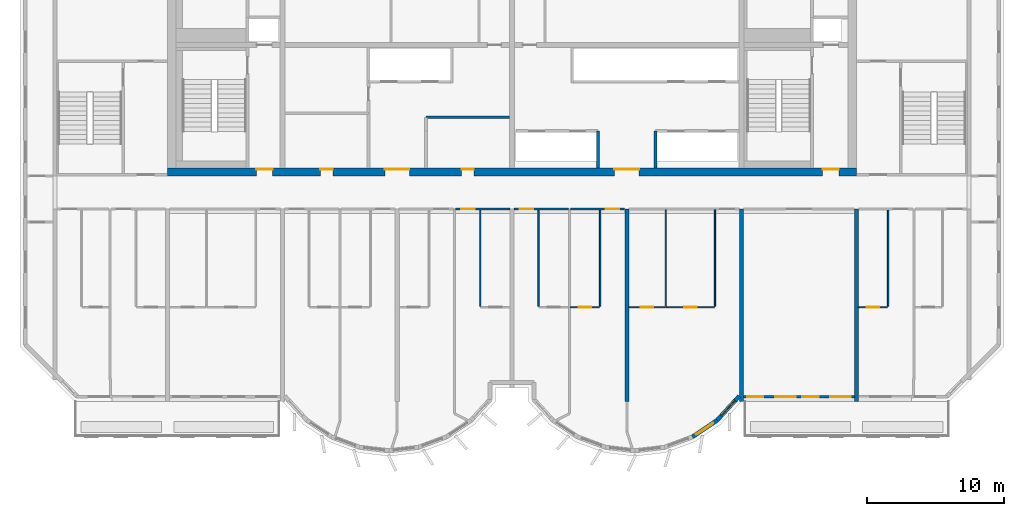
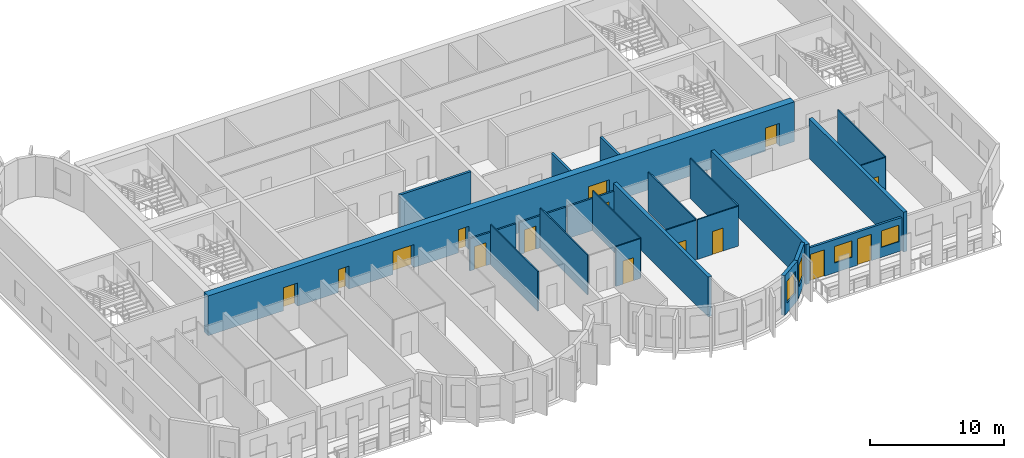
# One storey, part 5 of 11: 23 walls, 15 doors, 4 windows, 19 openings.
"""IFC4 building model written with IfcOpenShell, lengths in metres."""

from ifc_helpers import new_model, si_unit, direction, frame, frame_2d, origin, place, context, subcontext, project, spatial, rectangle, extrude, source, transform, mapped, material, layer, layer_set, type_object, element, fill, save


model = new_model("IFC4")

# Units and contexts
model_context = context("Model", 3, precision=1e-05, world=origin(), true_north=direction((0.0, 1.0)))
body_context = subcontext(model_context, "Body", "Model", "MODEL_VIEW")
ifc_project = project(units=[si_unit("LENGTHUNIT", "METRE"), si_unit("AREAUNIT", "SQUARE_METRE"), si_unit("VOLUMEUNIT", "CUBIC_METRE"), si_unit("PLANEANGLEUNIT", "RADIAN"), si_unit("MASSUNIT", "GRAM", prefix="KILO")], contexts=[model_context])

# Site, building, storey
site_placement = place(None, origin())
site = spatial("IfcSite", under=ifc_project, at=site_placement, CompositionType="ELEMENT")
building_placement = place(site_placement, origin())
building = spatial("IfcBuilding", under=site, at=building_placement, Name="Vanashikhar Sky Hotel", CompositionType="ELEMENT")
storey_placement = place(building_placement, frame((0.0, 0.0, 225.699951171875)))
storey = spatial("IfcBuildingStorey", under=building, at=storey_placement, Name="L54", CompositionType="ELEMENT", Elevation=225.699951171875)

# Wall, openings, doors
ifc_material_1 = material(Name="Concrete M60", Category="concrete")
ifc_layer_1 = layer(ifc_material_1, 0.60009765625)
ifc_layer_set_1 = layer_set([ifc_layer_1], Name="RC core shell wall 600 Concrete M60")
wall_type_1 = type_object("IfcWallType", Name="RC core shell wall 600 Concrete M60", PredefinedType="SHEAR", material=ifc_layer_set_1)
shared_shape_1 = source(origin(), body_context, "Body", "SweptSolid", [
    extrude(rectangle(XDim=50.400146484375, YDim=0.60009765625, at=frame_2d((25.2001953125, 0.0))), origin(), (0.0, 0.0, 1.0), 3.6201171875),
])
wall_1_placement = place(storey_placement, frame((25.199951171875, 22.300048828125, 0.0), z_axis=(0.0, 0.0, 1.0), x_axis=(1.0, 0.0, 0.0)))
wall_1 = element("IfcWall", 1, at=wall_1_placement, inside=storey, type_object=wall_type_1, Name="KW-L54-KS", PredefinedType="SHEAR", context=body_context, shape_type="MappedRepresentation", body=[
    mapped(shared_shape_1, transform((0.0, 0.0, 0.0), scale=1.0)),
])
shared_shape_2 = source(origin(), body_context, "Body", "SweptSolid", [
    extrude(rectangle(XDim=1.800048828125, YDim=2.10009765625, at=frame_2d((0.89990234375, 1.050048828125))), frame((0.0, 0.31005859375, 0.0), z_axis=(0.0, -1.0, 0.0), x_axis=(1.0, 0.0, 0.0)), (0.0, 0.0, 1.0), 0.6201171875),
])
opening_1_placement = place(wall_1_placement, frame((15.89990234375, 0.0, 0.0)))
opening_1 = element("IfcOpeningElement", 2, at=opening_1_placement, cuts=wall_1, Name="Opening DC-3-A", PredefinedType="OPENING", context=body_context, shape_type="MappedRepresentation", body=[
    mapped(shared_shape_2, transform((0.0, 0.0, 0.0), scale=1.0)),
])
shared_shape_3 = source(origin(), body_context, "Body", "SweptSolid", [
    extrude(rectangle(XDim=0.89990234375, YDim=2.10009765625, at=frame_2d((0.449951171875, 1.050048828125))), frame((0.0, 0.31005859375, 0.0), z_axis=(0.0, -1.0, 0.0), x_axis=(1.0, 0.0, 0.0)), (0.0, 0.0, 1.0), 0.6201171875),
])
opening_2_placement = place(wall_1_placement, frame((11.18701171875, 0.0, 0.0)))
opening_2 = element("IfcOpeningElement", 3, at=opening_2_placement, cuts=wall_1, Name="Opening DC-4-A", PredefinedType="OPENING", context=body_context, shape_type="MappedRepresentation", body=[
    mapped(shared_shape_3, transform((0.0, 0.0, 0.0), scale=1.0)),
])
opening_3_placement = place(wall_1_placement, frame((21.512939453125, 0.0, 0.0)))
opening_3 = element("IfcOpeningElement", 4, at=opening_3_placement, cuts=wall_1, Name="Opening DC-4-A", PredefinedType="OPENING", context=body_context, shape_type="MappedRepresentation", body=[
    mapped(shared_shape_3, transform((0.0, 0.0, 0.0), scale=1.0)),
])
opening_4_placement = place(wall_1_placement, frame((32.699951171875, 0.0, 0.0)))
opening_4 = element("IfcOpeningElement", 5, at=opening_4_placement, cuts=wall_1, Name="Opening DC-3-A", PredefinedType="OPENING", context=body_context, shape_type="MappedRepresentation", body=[
    mapped(shared_shape_2, transform((0.0, 0.0, 0.0), scale=1.0)),
])
shared_shape_4 = source(origin(), body_context, "Body", "SweptSolid", [
    extrude(rectangle(XDim=1.199951171875, YDim=2.10009765625, at=frame_2d((0.60009765625, 1.050048828125))), frame((0.0, 0.31005859375, 0.0), z_axis=(0.0, -1.0, 0.0), x_axis=(1.0, 0.0, 0.0)), (0.0, 0.0, 1.0), 0.6201171875),
])
opening_5_placement = place(wall_1_placement, frame((6.488037109375, 0.0, 0.0)))
opening_5 = element("IfcOpeningElement", 6, at=opening_5_placement, cuts=wall_1, Name="Opening DC-2", PredefinedType="OPENING", context=body_context, shape_type="MappedRepresentation", body=[
    mapped(shared_shape_4, transform((0.0, 0.0, 0.0), scale=1.0)),
])
opening_6_placement = place(wall_1_placement, frame((47.925048828125, 0.0, 0.0)))
opening_6 = element("IfcOpeningElement", 7, at=opening_6_placement, cuts=wall_1, Name="Opening DC-2", PredefinedType="OPENING", context=body_context, shape_type="MappedRepresentation", body=[
    mapped(shared_shape_4, transform((0.0, 0.0, 0.0), scale=1.0)),
])
ifc_material_2 = material(Name="Steel", Category="steel")
door_type_1 = type_object("IfcDoorType", Name="Firefighting lobby door 1200 FD120", OperationType="NOTDEFINED", PredefinedType="DOOR", material=ifc_material_2)
shared_shape_5 = source(origin(), body_context, "Body", "SweptSolid", [
    extrude(rectangle(XDim=1.199951171875, YDim=2.10009765625, at=frame_2d((0.60009765625, 1.050048828125))), frame((0.0, 0.22509765625, 0.0), z_axis=(0.0, -1.0, 0.0), x_axis=(1.0, 0.0, 0.0)), (0.0, 0.0, 1.0), 0.050048828125),
])
door_1_placement = place(opening_5_placement, origin())
door_1 = element("IfcDoor", 8, at=door_1_placement, inside=storey, type_object=door_type_1, Name="Firefighting lobby door 1200 FD120", OperationType="SINGLE_SWING_LEFT", OverallHeight=2.10009765625, OverallWidth=1.199951171875, PredefinedType="DOOR", context=body_context, shape_type="MappedRepresentation", body=[
    mapped(shared_shape_5, transform((0.0, 0.0, 0.0), scale=1.0)),
])
fill(opening_5, door_1)
door_2_placement = place(opening_6_placement, origin())
door_2 = element("IfcDoor", 9, at=door_2_placement, inside=storey, type_object=door_type_1, Name="Firefighting lobby door 1200 FD120", OperationType="SINGLE_SWING_LEFT", OverallHeight=2.10009765625, OverallWidth=1.199951171875, PredefinedType="DOOR", context=body_context, shape_type="MappedRepresentation", body=[
    mapped(shared_shape_5, transform((0.0, 0.0, 0.0), scale=1.0)),
])
fill(opening_6, door_2)
door_type_2 = type_object("IfcDoorType", Name="Service door 900 FD60", OperationType="NOTDEFINED", PredefinedType="DOOR", material=ifc_material_2)
shared_shape_6 = source(origin(), body_context, "Body", "SweptSolid", [
    extrude(rectangle(XDim=0.89990234375, YDim=2.10009765625, at=frame_2d((0.449951171875, 1.050048828125))), frame((0.0, 0.22509765625, 0.0), z_axis=(0.0, -1.0, 0.0), x_axis=(1.0, 0.0, 0.0)), (0.0, 0.0, 1.0), 0.050048828125),
])
door_3_placement = place(opening_2_placement, origin())
door_3 = element("IfcDoor", 10, at=door_3_placement, inside=storey, type_object=door_type_2, Name="Service door 900 FD60", OperationType="SINGLE_SWING_LEFT", OverallHeight=2.10009765625, OverallWidth=0.89990234375, PredefinedType="DOOR", context=body_context, shape_type="MappedRepresentation", body=[
    mapped(shared_shape_6, transform((0.0, 0.0, 0.0), scale=1.0)),
])
fill(opening_2, door_3)
door_4_placement = place(opening_3_placement, origin())
door_4 = element("IfcDoor", 11, at=door_4_placement, inside=storey, type_object=door_type_2, Name="Service door 900 FD60", OperationType="SINGLE_SWING_LEFT", OverallHeight=2.10009765625, OverallWidth=0.89990234375, PredefinedType="DOOR", context=body_context, shape_type="MappedRepresentation", body=[
    mapped(shared_shape_6, transform((0.0, 0.0, 0.0), scale=1.0)),
])
fill(opening_3, door_4)
ifc_material_3 = material(Name="Glass", Category="glass")
door_type_3 = type_object("IfcDoorType", Name="Lift lobby entrance door 1800 FD30S", OperationType="NOTDEFINED", PredefinedType="DOOR", material=ifc_material_3)
shared_shape_7 = source(origin(), body_context, "Body", "SweptSolid", [
    extrude(rectangle(XDim=1.800048828125, YDim=2.10009765625, at=frame_2d((0.89990234375, 1.050048828125))), frame((0.0, 0.22509765625, 0.0), z_axis=(0.0, -1.0, 0.0), x_axis=(1.0, 0.0, 0.0)), (0.0, 0.0, 1.0), 0.050048828125),
])
door_5_placement = place(opening_1_placement, origin())
door_5 = element("IfcDoor", 12, at=door_5_placement, inside=storey, type_object=door_type_3, Name="Lift lobby entrance door 1800 FD30S", OperationType="DOUBLE_DOOR_SINGLE_SWING", OverallHeight=2.10009765625, OverallWidth=1.800048828125, PredefinedType="DOOR", context=body_context, shape_type="MappedRepresentation", body=[
    mapped(shared_shape_7, transform((0.0, 0.0, 0.0), scale=1.0)),
])
fill(opening_1, door_5)
door_6_placement = place(opening_4_placement, origin())
door_6 = element("IfcDoor", 13, at=door_6_placement, inside=storey, type_object=door_type_3, Name="Lift lobby entrance door 1800 FD30S", OperationType="DOUBLE_DOOR_SINGLE_SWING", OverallHeight=2.10009765625, OverallWidth=1.800048828125, PredefinedType="DOOR", context=body_context, shape_type="MappedRepresentation", body=[
    mapped(shared_shape_7, transform((0.0, 0.0, 0.0), scale=1.0)),
])
fill(opening_4, door_6)

# Walls
ifc_layer_2 = layer(ifc_material_1, 0.300048828125)
ifc_layer_set_2 = layer_set([ifc_layer_2], Name="RC shear wall 300 Concrete M60")
wall_type_2 = type_object("IfcWallType", Name="RC shear wall 300 Concrete M60", PredefinedType="SHEAR", material=ifc_layer_set_2)
shared_shape_8 = source(origin(), body_context, "Body", "SweptSolid", [
    extrude(rectangle(XDim=14.10009765625, YDim=0.300048828125, at=frame_2d((7.050048828125, 0.0))), origin(), (0.0, 0.0, 1.0), 3.6201171875),
])
for number, where, z_axis, x_axis, name in (
    (14, (58.800048828125, 5.5, 0.0), (0.0, 0.0, 1.0), (0.0, 1.0, 0.0), "CW-L54-XW08-1"),
    (15, (67.199951171875, 5.5, 0.0), (0.0, 0.0, 1.0), (0.0, 1.0, 0.0), "CW-L54-XW09-1"),
    (16, (75.60009765625, 5.5, 0.0), (0.0, 0.0, 1.0), (0.0, 1.0, 0.0), "CW-L54-XW10-1"),
):
    element("IfcWall", number, at=place(storey_placement, frame(where, z_axis=z_axis, x_axis=x_axis)), inside=storey, type_object=wall_type_2, Name=name, PredefinedType="SHEAR", context=body_context, shape_type="MappedRepresentation", body=[
        mapped(shared_shape_8, transform((0.0, 0.0, 0.0), scale=1.0)),
    ])

# Wall, openings, windows, doors
ifc_material_4 = material(Name="Concrete M50", Category="concrete")
ifc_layer_3 = layer(ifc_material_4, 0.199951171875)
ifc_layer_set_3 = layer_set([ifc_layer_3], Name="Front window wall 200")
wall_type_3 = type_object("IfcWallType", Name="Front window wall 200", PredefinedType="SOLIDWALL", material=ifc_layer_set_3)
shared_shape_9 = source(origin(), body_context, "Body", "SweptSolid", [
    extrude(rectangle(XDim=8.099853515625, YDim=0.199951171875, at=frame_2d((4.0498046875, 0.0))), origin(), (0.0, 0.0, 1.0), 3.02001953125),
])
wall_2_placement = place(storey_placement, frame((67.35009765625, 5.85009765625, 0.0), z_axis=(0.0, 0.0, 1.0), x_axis=(1.0, 0.0, 0.0)))
wall_2 = element("IfcWall", 17, at=wall_2_placement, inside=storey, type_object=wall_type_3, Name="Front window wall", PredefinedType="SOLIDWALL", context=body_context, shape_type="MappedRepresentation", body=[
    mapped(shared_shape_9, transform((0.0, 0.0, 0.0), scale=1.0)),
])
shared_shape_10 = source(origin(), body_context, "Body", "SweptSolid", [
    extrude(rectangle(XDim=1.199951171875, YDim=2.39990234375, at=frame_2d((0.60009765625, 1.199951171875))), frame((0.0, 0.10986328125, 0.0), z_axis=(0.0, -1.0, 0.0), x_axis=(1.0, 0.0, 0.0)), (0.0, 0.0, 1.0), 0.219970703125),
])
opening_7_placement = place(wall_2_placement, frame((0.25, 0.0, 0.0)))
opening_7 = element("IfcOpeningElement", 18, at=opening_7_placement, cuts=wall_2, Name="Opening BD-03", PredefinedType="OPENING", context=body_context, shape_type="MappedRepresentation", body=[
    mapped(shared_shape_10, transform((0.0, 0.0, 0.0), scale=1.0)),
])
shared_shape_11 = source(origin(), body_context, "Body", "SweptSolid", [
    extrude(rectangle(XDim=1.5, YDim=1.5, at=frame_2d((0.75, 0.75))), frame((0.0, 0.10986328125, 0.0), z_axis=(0.0, -1.0, 0.0), x_axis=(1.0, 0.0, 0.0)), (0.0, 0.0, 1.0), 0.219970703125),
])
opening_8_placement = place(wall_2_placement, frame((2.300048828125, 0.0, 0.89990234375)))
opening_8 = element("IfcOpeningElement", 19, at=opening_8_placement, cuts=wall_2, Name="Opening WN-1", PredefinedType="OPENING", context=body_context, shape_type="MappedRepresentation", body=[
    mapped(shared_shape_11, transform((0.0, 0.0, 0.0), scale=1.0)),
])
opening_9_placement = place(wall_2_placement, frame((4.300048828125, 0.0, 0.0)))
opening_9 = element("IfcOpeningElement", 20, at=opening_9_placement, cuts=wall_2, Name="Opening BD-04", PredefinedType="OPENING", context=body_context, shape_type="MappedRepresentation", body=[
    mapped(shared_shape_10, transform((0.0, 0.0, 0.0), scale=1.0)),
])
opening_10_placement = place(wall_2_placement, frame((6.35009765625, 0.0, 0.89990234375)))
opening_10 = element("IfcOpeningElement", 21, at=opening_10_placement, cuts=wall_2, Name="Opening WN-1", PredefinedType="OPENING", context=body_context, shape_type="MappedRepresentation", body=[
    mapped(shared_shape_11, transform((0.0, 0.0, 0.0), scale=1.0)),
])
window_type_1 = type_object("IfcWindowType", Name="Window 1500 x 1500", PartitioningType="SINGLE_PANEL", PredefinedType="WINDOW", material=ifc_material_3)
shared_shape_12 = source(origin(), body_context, "Body", "SweptSolid", [
    extrude(rectangle(XDim=1.5, YDim=1.5, at=frame_2d((0.75, 0.75))), frame((0.0, 0.030029296875, 0.0), z_axis=(0.0, -1.0, 0.0), x_axis=(1.0, 0.0, 0.0)), (0.0, 0.0, 1.0), 0.06005859375),
])
window_1_placement = place(opening_8_placement, origin())
window_1 = element("IfcWindow", 22, at=window_1_placement, inside=storey, type_object=window_type_1, Name="Window WN-1", OverallHeight=1.5, OverallWidth=1.5, PartitioningType="SINGLE_PANEL", PredefinedType="WINDOW", context=body_context, shape_type="MappedRepresentation", body=[
    mapped(shared_shape_12, transform((0.0, 0.0, 0.0), scale=1.0)),
])
fill(opening_8, window_1)
window_2_placement = place(opening_10_placement, origin())
window_2 = element("IfcWindow", 23, at=window_2_placement, inside=storey, type_object=window_type_1, Name="Window WN-1", OverallHeight=1.5, OverallWidth=1.5, PartitioningType="SINGLE_PANEL", PredefinedType="WINDOW", context=body_context, shape_type="MappedRepresentation", body=[
    mapped(shared_shape_12, transform((0.0, 0.0, 0.0), scale=1.0)),
])
fill(opening_10, window_2)
ifc_material_5 = material(Name="Aluminium", Category="aluminium")
door_type_4 = type_object("IfcDoorType", Name="Balcony sliding door 1200 x 2400", OperationType="NOTDEFINED", PredefinedType="DOOR", material=ifc_material_5)
shared_shape_13 = source(origin(), body_context, "Body", "SweptSolid", [
    extrude(rectangle(XDim=1.199951171875, YDim=2.39990234375, at=frame_2d((0.60009765625, 1.199951171875))), frame((0.0, 0.02490234375, 0.0), z_axis=(0.0, -1.0, 0.0), x_axis=(1.0, 0.0, 0.0)), (0.0, 0.0, 1.0), 0.050048828125),
])
door_7_placement = place(opening_7_placement, origin())
door_7 = element("IfcDoor", 24, at=door_7_placement, inside=storey, type_object=door_type_4, Name="Balcony sliding door", OperationType="SLIDING_TO_LEFT", OverallHeight=2.39990234375, OverallWidth=1.199951171875, PredefinedType="DOOR", context=body_context, shape_type="MappedRepresentation", body=[
    mapped(shared_shape_13, transform((0.0, 0.0, 0.0), scale=1.0)),
])
fill(opening_7, door_7)
door_8_placement = place(opening_9_placement, origin())
door_8 = element("IfcDoor", 25, at=door_8_placement, inside=storey, type_object=door_type_4, Name="Balcony sliding door", OperationType="SLIDING_TO_RIGHT", OverallHeight=2.39990234375, OverallWidth=1.199951171875, PredefinedType="DOOR", context=body_context, shape_type="MappedRepresentation", body=[
    mapped(shared_shape_13, transform((0.0, 0.0, 0.0), scale=1.0)),
])
fill(opening_9, door_8)

# Wall, opening, window
ifc_layer_4 = layer(ifc_material_4, 0.300048828125)
ifc_layer_set_4 = layer_set([ifc_layer_4], Name="Lobe wall 300")
wall_type_4 = type_object("IfcWallType", Name="Lobe wall 300", PredefinedType="SOLIDWALL", material=ifc_layer_set_4)
shared_shape_14 = source(origin(), body_context, "Body", "SweptSolid", [
    extrude(rectangle(XDim=2.398193359375, YDim=0.300048828125, at=frame_2d((1.19921875, 0.0))), origin(), (0.0, 0.0, 1.0), 3.6201171875),
])
wall_3_placement = place(storey_placement, frame((65.404296875, 4.13134765625, 0.0), z_axis=(0.0, 0.0, 1.0), x_axis=(0.675374189419, 0.737475222815, 0.0)))
wall_3 = element("IfcWall", 26, at=wall_3_placement, inside=storey, type_object=wall_type_4, Name="Lobe wall", PredefinedType="SOLIDWALL", context=body_context, shape_type="MappedRepresentation", body=[
    mapped(shared_shape_14, transform((0.0, 0.0, 0.0), scale=1.0)),
])
shared_shape_15 = source(origin(), body_context, "Body", "SweptSolid", [
    extrude(rectangle(XDim=1.5, YDim=2.0, at=frame_2d((0.75, 1.0))), frame((0.0, 0.16015625, 0.0), z_axis=(0.0, -1.0, 0.0), x_axis=(1.0, 0.0, 0.0)), (0.0, 0.0, 1.0), 0.320068359375),
])
opening_11_placement = place(wall_3_placement, frame((0.44921875, 0.0, 0.89990234375)))
opening_11 = element("IfcOpeningElement", 27, at=opening_11_placement, cuts=wall_3, Name="Opening WN-2", PredefinedType="OPENING", context=body_context, shape_type="MappedRepresentation", body=[
    mapped(shared_shape_15, transform((0.0, 0.0, 0.0), scale=1.0)),
])
window_type_2 = type_object("IfcWindowType", Name="Lobe window 1500 x 2000", PartitioningType="SINGLE_PANEL", PredefinedType="WINDOW", material=ifc_material_3)
shared_shape_16 = source(origin(), body_context, "Body", "SweptSolid", [
    extrude(rectangle(XDim=1.5, YDim=2.0, at=frame_2d((0.75, 1.0))), frame((0.0, 0.030029296875, 0.0), z_axis=(0.0, -1.0, 0.0), x_axis=(1.0, 0.0, 0.0)), (0.0, 0.0, 1.0), 0.06005859375),
])
window_3_placement = place(opening_11_placement, origin())
window_3 = element("IfcWindow", 28, at=window_3_placement, inside=storey, type_object=window_type_2, Name="Window WN-2", OverallHeight=2.0, OverallWidth=1.5, PartitioningType="SINGLE_PANEL", PredefinedType="WINDOW", context=body_context, shape_type="MappedRepresentation", body=[
    mapped(shared_shape_16, transform((0.0, 0.0, 0.0), scale=1.0)),
])
fill(opening_11, window_3)

shared_shape_17 = source(origin(), body_context, "Body", "SweptSolid", [
    extrude(rectangle(XDim=2.17578125, YDim=0.300048828125, at=frame_2d((1.087890625, 0.0))), origin(), (0.0, 0.0, 1.0), 3.6201171875),
])
wall_4_placement = place(storey_placement, frame((63.59912109375, 2.91650390625, 0.0), z_axis=(0.0, 0.0, 1.0), x_axis=(0.829625727223, 0.558319937607, 0.0)))
wall_4 = element("IfcWall", 29, at=wall_4_placement, inside=storey, type_object=wall_type_4, Name="Lobe wall", PredefinedType="SOLIDWALL", context=body_context, shape_type="MappedRepresentation", body=[
    mapped(shared_shape_17, transform((0.0, 0.0, 0.0), scale=1.0)),
])
opening_12_placement = place(wall_4_placement, frame((0.337890625, 0.0, 0.89990234375)))
opening_12 = element("IfcOpeningElement", 30, at=opening_12_placement, cuts=wall_4, Name="Opening WN-2", PredefinedType="OPENING", context=body_context, shape_type="MappedRepresentation", body=[
    mapped(shared_shape_15, transform((0.0, 0.0, 0.0), scale=1.0)),
])
window_4_placement = place(opening_12_placement, origin())
window_4 = element("IfcWindow", 31, at=window_4_placement, inside=storey, type_object=window_type_2, Name="Window WN-2", OverallHeight=2.0, OverallWidth=1.5, PartitioningType="SINGLE_PANEL", PredefinedType="WINDOW", context=body_context, shape_type="MappedRepresentation", body=[
    mapped(shared_shape_16, transform((0.0, 0.0, 0.0), scale=1.0)),
])
fill(opening_12, window_4)

# Walls
ifc_material_6 = material(Name="Concrete M40", Category="concrete")
ifc_layer_5 = layer(ifc_material_6, 0.199951171875)
ifc_layer_set_5 = layer_set([ifc_layer_5], Name="Shaft wall 200")
wall_type_5 = type_object("IfcWallType", Name="Shaft wall 200", PredefinedType="SOLIDWALL", material=ifc_layer_set_5)
shared_shape_18 = source(origin(), body_context, "Body", "SweptSolid", [
    extrude(rectangle(XDim=2.699951171875, YDim=0.199951171875, at=frame_2d((1.35009765625, 0.0))), origin(), (0.0, 0.0, 1.0), 3.6201171875),
])
for number, where, z_axis, x_axis, name in (
    (32, (60.89990234375, 22.60009765625, 0.0), (0.0, 0.0, 1.0), (0.0, 1.0, 0.0), "Shaft wall 200"),
    (33, (56.699951171875, 22.60009765625, 0.0), (0.0, 0.0, 1.0), (0.0, 1.0, 0.0), "Shaft wall 200"),
):
    element("IfcWall", number, at=place(storey_placement, frame(where, z_axis=z_axis, x_axis=x_axis)), inside=storey, type_object=wall_type_5, Name=name, PredefinedType="SOLIDWALL", context=body_context, shape_type="MappedRepresentation", body=[
        mapped(shared_shape_18, transform((0.0, 0.0, 0.0), scale=1.0)),
    ])
ifc_material_7 = material(Name="Gypsum board partition")
ifc_layer_6 = layer(ifc_material_7, 0.14990234375)
ifc_layer_set_6 = layer_set([ifc_layer_6], Name="Service partition 150")
wall_type_6 = type_object("IfcWallType", Name="Service partition 150", PredefinedType="PARTITIONING", material=ifc_layer_set_6)
shared_shape_19 = source(origin(), body_context, "Body", "SweptSolid", [
    extrude(rectangle(XDim=6.125, YDim=0.199951171875, at=frame_2d((3.0625, 0.0))), origin(), (0.0, 0.0, 1.0), 3.6201171875),
])
wall_5_placement = place(storey_placement, frame((44.10009765625, 26.300048828125, 0.0), z_axis=(0.0, 0.0, 1.0), x_axis=(1.0, 0.0, 0.0)))
element("IfcWall", 34, at=wall_5_placement, inside=storey, type_object=wall_type_6, Name="Service partition 150", PredefinedType="PARTITIONING", context=body_context, shape_type="MappedRepresentation", body=[
    mapped(shared_shape_19, transform((0.0, 0.0, 0.0), scale=1.0)),
])
ifc_material_8 = material(Name="Gypsum plasterboard partition")
ifc_layer_7 = layer(ifc_material_8, 0.10009765625)
ifc_layer_set_7 = layer_set([ifc_layer_7], Name="Wet room partition 100")
wall_type_7 = type_object("IfcWallType", Name="Wet room partition 100", PredefinedType="PARTITIONING", material=ifc_layer_set_7)
shared_shape_20 = source(origin(), body_context, "Body", "SweptSolid", [
    extrude(rectangle(XDim=7.0498046875, YDim=0.10009765625, at=frame_2d((3.52490234375, 0.0))), origin(), (0.0, 0.0, 1.0), 3.6201171875),
])
for number, where, z_axis, x_axis, name in (
    (35, (48.074951171875, 12.47509765625, 0.0), (0.0, 0.0, 1.0), (0.0, 1.0, 0.0), "W-L54-PW023"),
    (36, (52.35009765625, 12.47509765625, 0.0), (0.0, 0.0, 1.0), (0.0, 1.0, 0.0), "W-L54-PW027"),
    (37, (56.85009765625, 12.47509765625, 0.0), (0.0, 0.0, 1.0), (0.0, 1.0, 0.0), "W-L54-PW030"),
    (38, (65.25, 12.47509765625, 0.0), (0.0, 0.0, 1.0), (0.0, 1.0, 0.0), "W-L54-PW034"),
    (39, (61.64990234375, 12.47509765625, 0.0), (0.0, 0.0, 1.0), (0.0, 1.0, 0.0), "W-L54-PW035"),
    (40, (77.925048828125, 12.47509765625, 0.0), (0.0, 0.0, 1.0), (0.0, 1.0, 0.0), "W-L54-PW040"),
):
    element("IfcWall", number, at=place(storey_placement, frame(where, z_axis=z_axis, x_axis=x_axis)), inside=storey, type_object=wall_type_7, Name=name, PredefinedType="PARTITIONING", context=body_context, shape_type="MappedRepresentation", body=[
        mapped(shared_shape_20, transform((0.0, 0.0, 0.0), scale=1.0)),
    ])

# Wall, opening, door
shared_shape_21 = source(origin(), body_context, "Body", "SweptSolid", [
    extrude(rectangle(XDim=2.125, YDim=0.10009765625, at=frame_2d((1.0625, 0.0))), origin(), (0.0, 0.0, 1.0), 3.6201171875),
])
wall_6_placement = place(storey_placement, frame((54.675048828125, 12.39990234375, 0.0), z_axis=(0.0, 0.0, 1.0), x_axis=(1.0, 0.0, 0.0)))
wall_6 = element("IfcWall", 41, at=wall_6_placement, inside=storey, type_object=wall_type_7, Name="W-L54-PW031", PredefinedType="PARTITIONING", context=body_context, shape_type="MappedRepresentation", body=[
    mapped(shared_shape_21, transform((0.0, 0.0, 0.0), scale=1.0)),
])
shared_shape_22 = source(origin(), body_context, "Body", "SweptSolid", [
    extrude(rectangle(XDim=0.89990234375, YDim=2.10009765625, at=frame_2d((0.449951171875, 1.050048828125))), frame((0.0, 0.06005859375, 0.0), z_axis=(0.0, -1.0, 0.0), x_axis=(1.0, 0.0, 0.0)), (0.0, 0.0, 1.0), 0.1201171875),
])
opening_13_placement = place(wall_6_placement, frame((0.613037109375, 0.0, 0.0)))
opening_13 = element("IfcOpeningElement", 42, at=opening_13_placement, cuts=wall_6, Name="Opening D-02", PredefinedType="OPENING", context=body_context, shape_type="MappedRepresentation", body=[
    mapped(shared_shape_22, transform((0.0, 0.0, 0.0), scale=1.0)),
])
ifc_material_9 = material(Name="Timber door", Category="wood")
door_type_5 = type_object("IfcDoorType", Name="Internal door 900", OperationType="NOTDEFINED", PredefinedType="DOOR", material=ifc_material_9)
shared_shape_23 = source(origin(), body_context, "Body", "SweptSolid", [
    extrude(rectangle(XDim=0.89990234375, YDim=2.10009765625, at=frame_2d((0.449951171875, 1.050048828125))), frame((0.0, 0.02490234375, 0.0), z_axis=(0.0, -1.0, 0.0), x_axis=(1.0, 0.0, 0.0)), (0.0, 0.0, 1.0), 0.050048828125),
])
door_9_placement = place(opening_13_placement, origin())
door_9 = element("IfcDoor", 43, at=door_9_placement, inside=storey, type_object=door_type_5, Name="D-L54-018", OperationType="SINGLE_SWING_RIGHT", OverallHeight=2.10009765625, OverallWidth=0.89990234375, PredefinedType="DOOR", context=body_context, shape_type="MappedRepresentation", body=[
    mapped(shared_shape_23, transform((0.0, 0.0, 0.0), scale=1.0)),
])
fill(opening_13, door_9)

wall_7_placement = place(storey_placement, frame((75.75, 12.39990234375, 0.0), z_axis=(0.0, 0.0, 1.0), x_axis=(1.0, 0.0, 0.0)))
wall_7 = element("IfcWall", 44, at=wall_7_placement, inside=storey, type_object=wall_type_7, Name="W-L54-PW041", PredefinedType="PARTITIONING", context=body_context, shape_type="MappedRepresentation", body=[
    mapped(shared_shape_21, transform((0.0, 0.0, 0.0), scale=1.0)),
])
opening_14_placement = place(wall_7_placement, frame((0.612060546875, 0.0, 0.0)))
opening_14 = element("IfcOpeningElement", 45, at=opening_14_placement, cuts=wall_7, Name="Opening D-02", PredefinedType="OPENING", context=body_context, shape_type="MappedRepresentation", body=[
    mapped(shared_shape_22, transform((0.0, 0.0, 0.0), scale=1.0)),
])
door_10_placement = place(opening_14_placement, origin())
door_10 = element("IfcDoor", 46, at=door_10_placement, inside=storey, type_object=door_type_5, Name="D-L54-024", OperationType="SINGLE_SWING_RIGHT", OverallHeight=2.10009765625, OverallWidth=0.89990234375, PredefinedType="DOOR", context=body_context, shape_type="MappedRepresentation", body=[
    mapped(shared_shape_23, transform((0.0, 0.0, 0.0), scale=1.0)),
])
fill(opening_14, door_10)

shared_shape_24 = source(origin(), body_context, "Body", "SweptSolid", [
    extrude(rectangle(XDim=3.5, YDim=0.10009765625, at=frame_2d((1.75, 0.0))), origin(), (0.0, 0.0, 1.0), 3.6201171875),
])
wall_8_placement = place(storey_placement, frame((61.699951171875, 12.39990234375, 0.0), z_axis=(0.0, 0.0, 1.0), x_axis=(1.0, 0.0, 0.0)))
wall_8 = element("IfcWall", 47, at=wall_8_placement, inside=storey, type_object=wall_type_7, Name="W-L54-PW036", PredefinedType="PARTITIONING", context=body_context, shape_type="MappedRepresentation", body=[
    mapped(shared_shape_24, transform((0.0, 0.0, 0.0), scale=1.0)),
])
opening_15_placement = place(wall_8_placement, frame((1.300048828125, 0.0, 0.0)))
opening_15 = element("IfcOpeningElement", 48, at=opening_15_placement, cuts=wall_8, Name="Opening D-02", PredefinedType="OPENING", context=body_context, shape_type="MappedRepresentation", body=[
    mapped(shared_shape_22, transform((0.0, 0.0, 0.0), scale=1.0)),
])
door_11_placement = place(opening_15_placement, origin())
door_11 = element("IfcDoor", 49, at=door_11_placement, inside=storey, type_object=door_type_5, Name="D-L54-020", OperationType="SINGLE_SWING_RIGHT", OverallHeight=2.10009765625, OverallWidth=0.89990234375, PredefinedType="DOOR", context=body_context, shape_type="MappedRepresentation", body=[
    mapped(shared_shape_23, transform((0.0, 0.0, 0.0), scale=1.0)),
])
fill(opening_15, door_11)

shared_shape_25 = source(origin(), body_context, "Body", "SweptSolid", [
    extrude(rectangle(XDim=2.650146484375, YDim=0.10009765625, at=frame_2d((1.3251953125, 0.0))), origin(), (0.0, 0.0, 1.0), 3.6201171875),
])
wall_9_placement = place(storey_placement, frame((58.949951171875, 12.39990234375, 0.0), z_axis=(0.0, 0.0, 1.0), x_axis=(1.0, 0.0, 0.0)))
wall_9 = element("IfcWall", 50, at=wall_9_placement, inside=storey, type_object=wall_type_7, Name="W-L54-PW037", PredefinedType="PARTITIONING", context=body_context, shape_type="MappedRepresentation", body=[
    mapped(shared_shape_25, transform((0.0, 0.0, 0.0), scale=1.0)),
])
opening_16_placement = place(wall_9_placement, frame((0.875, 0.0, 0.0)))
opening_16 = element("IfcOpeningElement", 51, at=opening_16_placement, cuts=wall_9, Name="Opening D-02", PredefinedType="OPENING", context=body_context, shape_type="MappedRepresentation", body=[
    mapped(shared_shape_22, transform((0.0, 0.0, 0.0), scale=1.0)),
])
door_12_placement = place(opening_16_placement, origin())
door_12 = element("IfcDoor", 52, at=door_12_placement, inside=storey, type_object=door_type_5, Name="D-L54-021", OperationType="SINGLE_SWING_RIGHT", OverallHeight=2.10009765625, OverallWidth=0.89990234375, PredefinedType="DOOR", context=body_context, shape_type="MappedRepresentation", body=[
    mapped(shared_shape_23, transform((0.0, 0.0, 0.0), scale=1.0)),
])
fill(opening_16, door_12)

ifc_layer_8 = layer(ifc_material_8, 0.14990234375)
ifc_layer_set_8 = layer_set([ifc_layer_8], Name="Corridor and demising partition 150")
wall_type_8 = type_object("IfcWallType", Name="Corridor and demising partition 150", PredefinedType="PARTITIONING", material=ifc_layer_set_8)
shared_shape_26 = source(origin(), body_context, "Body", "SweptSolid", [
    extrude(rectangle(XDim=3.97509765625, YDim=0.14990234375, at=frame_2d((1.987548828125, 0.0))), origin(), (0.0, 0.0, 1.0), 2.920166015625),
])
wall_10_placement = place(storey_placement, frame((46.27490234375, 19.60009765625, 0.0), z_axis=(0.0, 0.0, 1.0), x_axis=(1.0, 0.0, 0.0)))
wall_10 = element("IfcWall", 53, at=wall_10_placement, inside=storey, type_object=wall_type_8, Name="W-L54-PW025", PredefinedType="PARTITIONING", context=body_context, shape_type="MappedRepresentation", body=[
    mapped(shared_shape_26, transform((0.0, 0.0, 0.0), scale=1.0)),
])
shared_shape_27 = source(origin(), body_context, "Body", "SweptSolid", [
    extrude(rectangle(XDim=1.0, YDim=2.10009765625, at=frame_2d((0.5, 1.050048828125))), frame((0.0, 0.0849609375, 0.0), z_axis=(0.0, -1.0, 0.0), x_axis=(1.0, 0.0, 0.0)), (0.0, 0.0, 1.0), 0.169921875),
])
opening_17_placement = place(wall_10_placement, frame((0.39990234375, 0.0, 0.0)))
opening_17 = element("IfcOpeningElement", 54, at=opening_17_placement, cuts=wall_10, Name="Opening D-01", PredefinedType="OPENING", context=body_context, shape_type="MappedRepresentation", body=[
    mapped(shared_shape_27, transform((0.0, 0.0, 0.0), scale=1.0)),
])
ifc_material_10 = material(Name="Timber fire door", Category="wood")
door_type_6 = type_object("IfcDoorType", Name="Guest entry door 1000 FD30S", OperationType="NOTDEFINED", PredefinedType="DOOR", material=ifc_material_10)
shared_shape_28 = source(origin(), body_context, "Body", "SweptSolid", [
    extrude(rectangle(XDim=1.0, YDim=2.10009765625, at=frame_2d((0.5, 1.050048828125))), frame((0.0, 0.02490234375, 0.0), z_axis=(0.0, -1.0, 0.0), x_axis=(1.0, 0.0, 0.0)), (0.0, 0.0, 1.0), 0.050048828125),
])
door_13_placement = place(opening_17_placement, origin())
door_13 = element("IfcDoor", 55, at=door_13_placement, inside=storey, type_object=door_type_6, Name="D-L54-015", OperationType="SINGLE_SWING_LEFT", OverallHeight=2.10009765625, OverallWidth=1.0, PredefinedType="DOOR", context=body_context, shape_type="MappedRepresentation", body=[
    mapped(shared_shape_28, transform((0.0, 0.0, 0.0), scale=1.0)),
])
fill(opening_17, door_13)

shared_shape_29 = source(origin(), body_context, "Body", "SweptSolid", [
    extrude(rectangle(XDim=3.974853515625, YDim=0.14990234375, at=frame_2d((1.9873046875, 0.0))), origin(), (0.0, 0.0, 1.0), 2.920166015625),
])
wall_11_placement = place(storey_placement, frame((50.550048828125, 19.60009765625, 0.0), z_axis=(0.0, 0.0, 1.0), x_axis=(1.0, 0.0, 0.0)))
wall_11 = element("IfcWall", 56, at=wall_11_placement, inside=storey, type_object=wall_type_8, Name="W-L54-PW029", PredefinedType="PARTITIONING", context=body_context, shape_type="MappedRepresentation", body=[
    mapped(shared_shape_29, transform((0.0, 0.0, 0.0), scale=1.0)),
])
opening_18_placement = place(wall_11_placement, frame((0.39990234375, 0.0, 0.0)))
opening_18 = element("IfcOpeningElement", 57, at=opening_18_placement, cuts=wall_11, Name="Opening D-01", PredefinedType="OPENING", context=body_context, shape_type="MappedRepresentation", body=[
    mapped(shared_shape_27, transform((0.0, 0.0, 0.0), scale=1.0)),
])
door_14_placement = place(opening_18_placement, origin())
door_14 = element("IfcDoor", 58, at=door_14_placement, inside=storey, type_object=door_type_6, Name="D-L54-017", OperationType="SINGLE_SWING_LEFT", OverallHeight=2.10009765625, OverallWidth=1.0, PredefinedType="DOOR", context=body_context, shape_type="MappedRepresentation", body=[
    mapped(shared_shape_28, transform((0.0, 0.0, 0.0), scale=1.0)),
])
fill(opening_18, door_14)

wall_12_placement = place(storey_placement, frame((54.675048828125, 19.60009765625, 0.0), z_axis=(0.0, 0.0, 1.0), x_axis=(1.0, 0.0, 0.0)))
wall_12 = element("IfcWall", 59, at=wall_12_placement, inside=storey, type_object=wall_type_8, Name="W-L54-PW032", PredefinedType="PARTITIONING", context=body_context, shape_type="MappedRepresentation", body=[
    mapped(shared_shape_29, transform((0.0, 0.0, 0.0), scale=1.0)),
])
opening_19_placement = place(wall_12_placement, frame((2.574951171875, 0.0, 0.0)))
opening_19 = element("IfcOpeningElement", 60, at=opening_19_placement, cuts=wall_12, Name="Opening D-01", PredefinedType="OPENING", context=body_context, shape_type="MappedRepresentation", body=[
    mapped(shared_shape_27, transform((0.0, 0.0, 0.0), scale=1.0)),
])
door_15_placement = place(opening_19_placement, origin())
door_15 = element("IfcDoor", 61, at=door_15_placement, inside=storey, type_object=door_type_6, Name="D-L54-019", OperationType="SINGLE_SWING_RIGHT", OverallHeight=2.10009765625, OverallWidth=1.0, PredefinedType="DOOR", context=body_context, shape_type="MappedRepresentation", body=[
    mapped(shared_shape_28, transform((0.0, 0.0, 0.0), scale=1.0)),
])
fill(opening_19, door_15)

save(model, "model.ifc")
